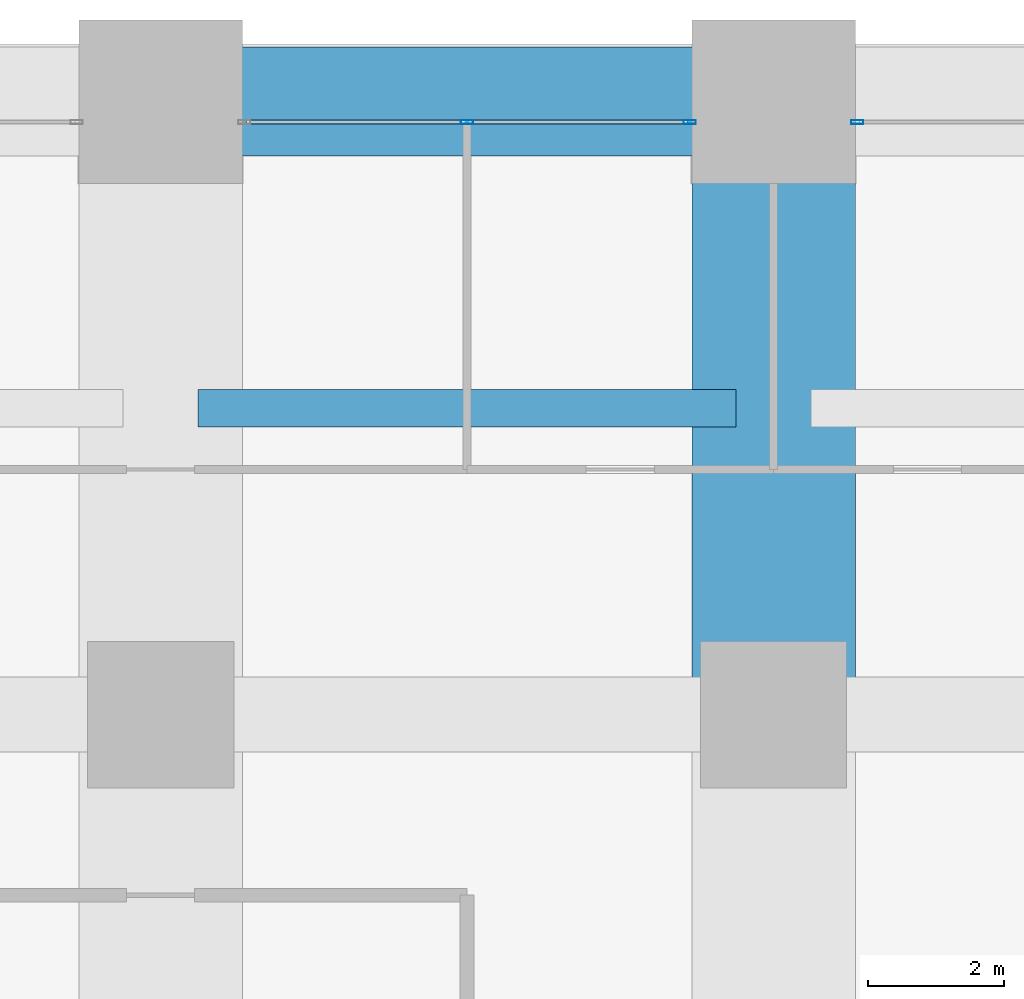
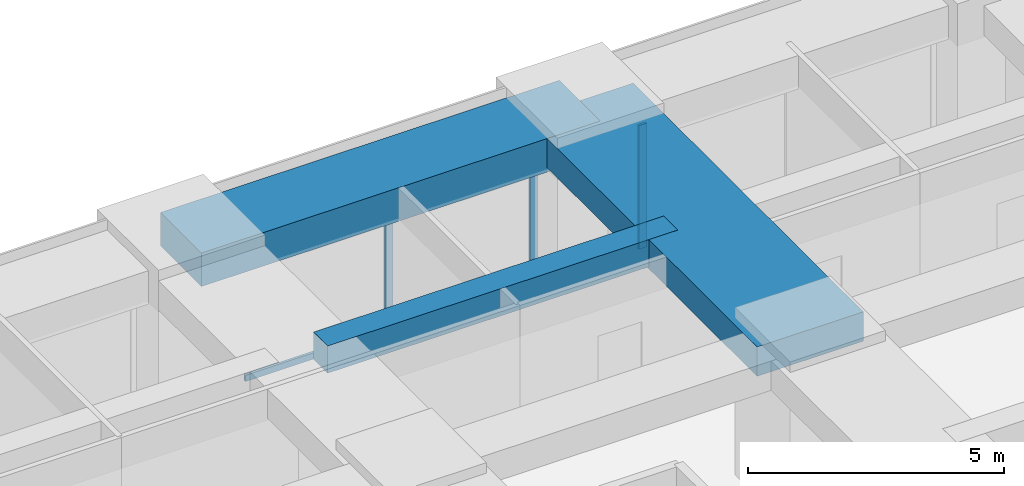
# One storey, part 35 of 45: 4 members, 3 beams, 2 elements without a shape of their own.
"""IFC4 building model written with IfcOpenShell, lengths in metres."""

from ifc_helpers import new_model, si_unit, direction, frame, origin, origin_2d, place, context, subcontext, project, spatial, rectangle, hollow_rectangle, extrude, material, material_profile, profile_set, type_object, element, aggregate, save


model = new_model("IFC4")

# Units and contexts
model_context = context("Model", 3, precision=1e-05, world=origin(), true_north=direction((0.0, 1.0)))
body_context = subcontext(model_context, "Body", "Model", "MODEL_VIEW")
ifc_project = project(units=[si_unit("LENGTHUNIT", "METRE"), si_unit("AREAUNIT", "SQUARE_METRE"), si_unit("VOLUMEUNIT", "CUBIC_METRE"), si_unit("PLANEANGLEUNIT", "RADIAN"), si_unit("MASSUNIT", "GRAM", prefix="KILO")], contexts=[model_context])

# Site, building, storey
site_placement = place(None, origin())
site = spatial("IfcSite", under=ifc_project, at=site_placement, CompositionType="ELEMENT")
building_placement = place(site_placement, origin())
building = spatial("IfcBuilding", under=site, at=building_placement, Name="Zorevar Civic Tower", CompositionType="ELEMENT")
storey_placement = place(building_placement, frame((0.0, 0.0, 71.800048828125)))
storey = spatial("IfcBuildingStorey", under=building, at=storey_placement, Name="L17", CompositionType="ELEMENT", Elevation=71.800048828125)

# Beams
ifc_material_1 = material(Name="Concrete C50/60", Category="concrete")
ifc_material_profile_1 = material_profile(ifc_material_1, rectangle(XDim=2.39990234375, YDim=0.699951171875, at=origin_2d()), Name="RC 2400x700")
ifc_profile_set_1 = profile_set([ifc_material_profile_1], Name="Concrete C50/60")
beam_type_1 = type_object("IfcBeamType", Name="Beam RC 2400x700", PredefinedType="BEAM", material=ifc_profile_set_1)
beam_1_placement = place(storey_placement, frame((45.0, 45.0, 3.39990234375), z_axis=(0.0, 1.0, 0.0), x_axis=(-1.0, 0.0, 0.0)))
element("IfcBeam", 1, at=beam_1_placement, inside=storey, type_object=beam_type_1, Name="Girder L18", PredefinedType="BEAM", context=body_context, shape_type="SweptSolid", body=[
    extrude(rectangle(XDim=2.39990234375, YDim=0.699951171875, at=origin_2d()), origin(), (0.0, 0.0, 1.0), 9.0),
])
ifc_material_2 = material(Name="Concrete C50/60", Category="concrete")
ifc_material_profile_2 = material_profile(ifc_material_2, rectangle(XDim=0.550048828125, YDim=0.64990234375, at=origin_2d()), Name="RC 550x650")
ifc_profile_set_2 = profile_set([ifc_material_profile_2], Name="Concrete C50/60")
beam_type_2 = type_object("IfcBeamType", Name="Beam RC 550x650", PredefinedType="BEAM", material=ifc_profile_set_2)
beam_2_placement = place(storey_placement, frame((36.550048828125, 49.5, 3.425048828125), z_axis=(1.0, 0.0, 0.0), x_axis=(0.0, 1.0, 0.0)))
element("IfcBeam", 2, at=beam_2_placement, inside=storey, type_object=beam_type_2, Name="Secondary beam L18", PredefinedType="BEAM", context=body_context, shape_type="SweptSolid", body=[
    extrude(rectangle(XDim=0.550048828125, YDim=0.64990234375, at=origin_2d()), origin(), (0.0, 0.0, 1.0), 7.89990234375),
])

# Curtain wall, members
ifc_material_3 = material(Name="Dark grey solar-control glass in black aluminium frame", Category="aluminium")
curtain_wall_type = type_object("IfcCurtainWallType", Name="Curtain wall CW2 low zone", PredefinedType="NOTDEFINED", material=ifc_material_3)
curtain_wall_1_placement = place(storey_placement, origin())
curtain_wall_1 = element("IfcCurtainWall", 3, at=curtain_wall_1_placement, inside=storey, type_object=curtain_wall_type, Name="CW2 L17", PredefinedType="NOTDEFINED")
ifc_material_4 = material(Name="Aluminium, black anodised", Category="aluminium")
ifc_material_profile_3 = material_profile(ifc_material_4, hollow_rectangle(XDim=0.06005859375, YDim=0.179931640625, WallThickness=0.00390625, at=origin_2d()), Name="AL 180x60x4")
ifc_profile_set_3 = profile_set([ifc_material_profile_3], Name="Aluminium, black anodised")
member_type_1 = type_object("IfcMemberType", Name="CW2 mullion AL 180x60x4", PredefinedType="MULLION", material=ifc_profile_set_3)
member_1_placement = place(storey_placement, frame((40.5, 53.699951171875, 0.06005859375), z_axis=(0.0, 0.0, 1.0), x_axis=(0.0, 1.0, 0.0)))
member_1 = element("IfcMember", 4, at=member_1_placement, type_object=member_type_1, Name="CW2 mullion 2", PredefinedType="MULLION", context=body_context, shape_type="SweptSolid", body=[
    extrude(hollow_rectangle(XDim=0.06005859375, YDim=0.179931640625, WallThickness=0.00390625, at=origin_2d()), origin(), (0.0, 0.0, 1.0), 2.889892578125),
])
member_2_placement = place(storey_placement, frame((43.77001953125, 53.699951171875, 0.0), z_axis=(0.0, 0.0, 1.0), x_axis=(0.0, 1.0, 0.0)))
member_2 = element("IfcMember", 5, at=member_2_placement, type_object=member_type_1, Name="CW2 mullion 3", PredefinedType="MULLION", context=body_context, shape_type="SweptSolid", body=[
    extrude(hollow_rectangle(XDim=0.06005859375, YDim=0.179931640625, WallThickness=0.00390625, at=origin_2d()), origin(), (0.0, 0.0, 1.0), 2.949951171875),
])

# Curtain wall, member
curtain_wall_2_placement = place(storey_placement, origin())
curtain_wall_2 = element("IfcCurtainWall", 6, at=curtain_wall_2_placement, inside=storey, type_object=curtain_wall_type, Name="CW2 L17", PredefinedType="NOTDEFINED")
member_3_placement = place(storey_placement, frame((46.22998046875, 53.699951171875, 0.0), z_axis=(0.0, 0.0, 1.0), x_axis=(0.0, 1.0, 0.0)))
member_3 = element("IfcMember", 7, at=member_3_placement, type_object=member_type_1, Name="CW2 mullion 1", PredefinedType="MULLION", context=body_context, shape_type="SweptSolid", body=[
    extrude(hollow_rectangle(XDim=0.06005859375, YDim=0.179931640625, WallThickness=0.00390625, at=origin_2d()), origin(), (0.0, 0.0, 1.0), 2.949951171875),
])
aggregate(curtain_wall_2, [member_3])

# Member
ifc_material_5 = material(Name="Aluminium, black anodised", Category="aluminium")
ifc_material_profile_4 = material_profile(ifc_material_5, hollow_rectangle(XDim=0.06005859375, YDim=0.14990234375, WallThickness=0.00390625, at=origin_2d()), Name="AL 150x60x4")
ifc_profile_set_4 = profile_set([ifc_material_profile_4], Name="Aluminium, black anodised")
member_type_2 = type_object("IfcMemberType", Name="CW2 transom AL 150x60x4", PredefinedType="USERDEFINED", material=ifc_profile_set_4)
member_4_placement = place(storey_placement, frame((37.260009765625, 53.699951171875, 0.030029296875), z_axis=(1.0, 0.0, 0.0), x_axis=(0.0, 1.0, 0.0)))
member_4 = element("IfcMember", 8, at=member_4_placement, type_object=member_type_2, Name="CW2 sill transom", ObjectType="TRANSOM", PredefinedType="USERDEFINED", context=body_context, shape_type="SweptSolid", body=[
    extrude(hollow_rectangle(XDim=0.06005859375, YDim=0.14990234375, WallThickness=0.00390625, at=origin_2d()), origin(), (0.0, 0.0, 1.0), 6.47998046875),
])

aggregate(curtain_wall_1, [member_1, member_2, member_4])

# Beam
ifc_material_6 = material(Name="Concrete C50/60", Category="concrete")
ifc_material_profile_5 = material_profile(ifc_material_6, rectangle(XDim=1.60009765625, YDim=0.800048828125, at=origin_2d()), Name="RC 1600x800")
ifc_profile_set_5 = profile_set([ifc_material_profile_5], Name="Concrete C50/60")
beam_type_3 = type_object("IfcBeamType", Name="Edge beam RC 1600x800", PredefinedType="SPANDREL", material=ifc_profile_set_5)
beam_3_placement = place(storey_placement, frame((36.0, 54.0, 3.349853515625), z_axis=(1.0, 0.0, 0.0), x_axis=(0.0, 1.0, 0.0)))
element("IfcBeam", 9, at=beam_3_placement, inside=storey, type_object=beam_type_3, Name="Edge beam L18", PredefinedType="SPANDREL", context=body_context, shape_type="SweptSolid", body=[
    extrude(rectangle(XDim=1.60009765625, YDim=0.800048828125, at=origin_2d()), origin(), (0.0, 0.0, 1.0), 9.0),
])

save(model, "model.ifc")
